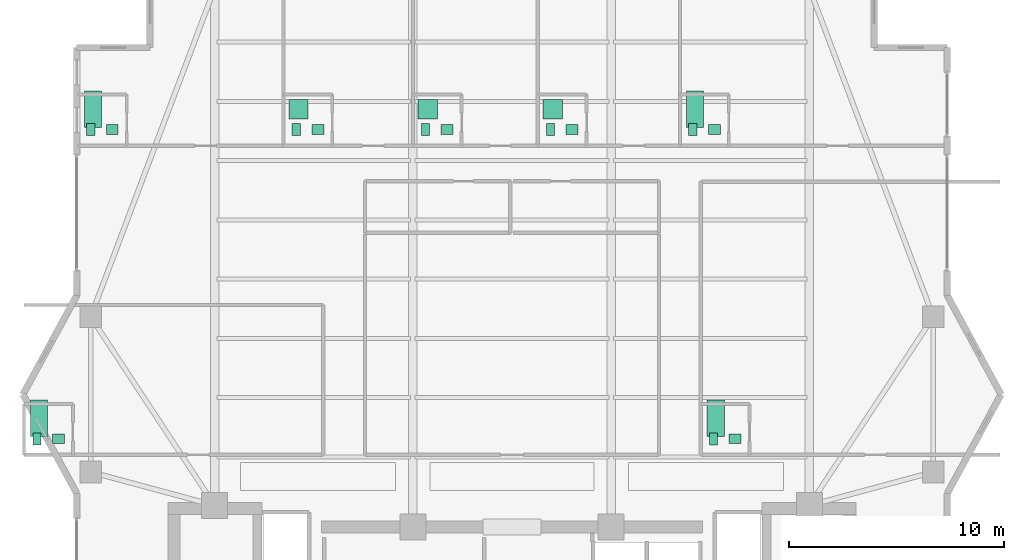
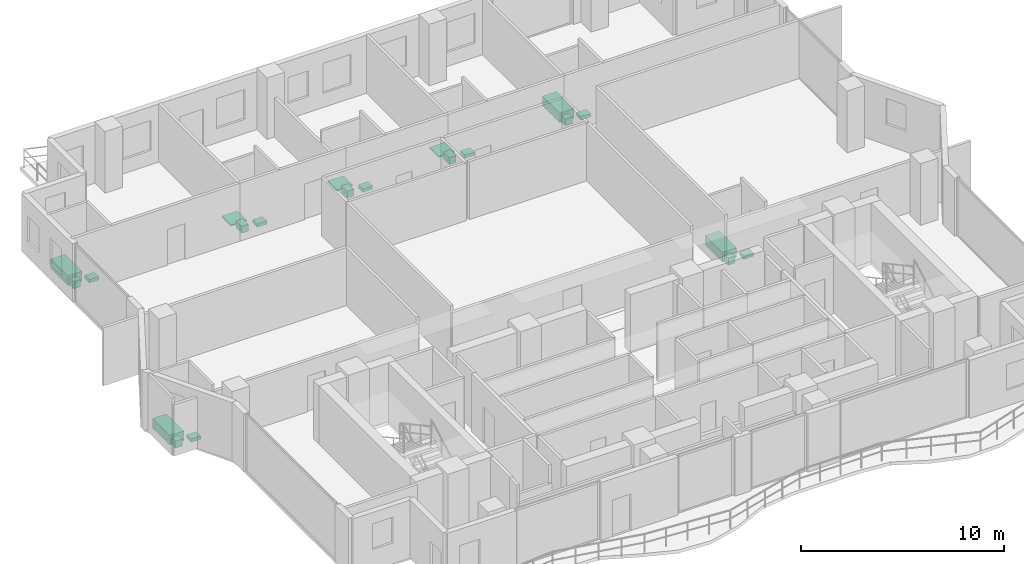
# One storey, part 26 of 26: 21 sanitary terminals.
"""IFC4 building model written with IfcOpenShell, lengths in metres."""

from ifc_helpers import new_model, si_unit, direction, frame, origin, origin_2d, place, context, subcontext, project, spatial, rectangle, extrude, material, type_object, element, save


model = new_model("IFC4")

# Units and contexts
model_context = context("Model", 3, precision=1e-05, world=origin(), true_north=direction((0.0, 1.0)))
body_context = subcontext(model_context, "Body", "Model", "MODEL_VIEW")
ifc_project = project(units=[si_unit("LENGTHUNIT", "METRE"), si_unit("AREAUNIT", "SQUARE_METRE"), si_unit("VOLUMEUNIT", "CUBIC_METRE"), si_unit("PLANEANGLEUNIT", "RADIAN"), si_unit("MASSUNIT", "GRAM", prefix="KILO")], contexts=[model_context])

# Site, building, storey
site_placement = place(None, origin())
site = spatial("IfcSite", under=ifc_project, at=site_placement, CompositionType="ELEMENT")
building_placement = place(site_placement, origin())
building = spatial("IfcBuilding", under=site, at=building_placement, Name="Zuhayl Quay Hotel", CompositionType="ELEMENT")
storey_placement = place(building_placement, frame((0.0, 0.0, 247.050048828125)))
storey = spatial("IfcBuildingStorey", under=building, at=storey_placement, Name="L62", CompositionType="ELEMENT", Elevation=247.050048828125)

# Sanitary terminals
ifc_material = material(Name="Vitreous Porcelain Sanitaryware")
sanitary_terminal_type_1 = type_object("IfcSanitaryTerminalType", Name="SAN_BASIN", PredefinedType="WASHHANDBASIN", material=ifc_material)
for number, where, z_axis, x_axis, name in (
    (1, (-18.550048828125, 31.7900390625, 0.0), (0.0, 0.0, 1.0), (1.0, 0.0, 0.0), "L62 Sanitary Fixture WASHHANDBASIN"),
    (2, (-9.010009765625, 31.7900390625, 0.0), (0.0, 0.0, 1.0), (1.0, 0.0, 0.0), "L62 Sanitary Fixture WASHHANDBASIN"),
    (3, (-3.010009765625, 31.7900390625, 0.0), (0.0, 0.0, 1.0), (1.0, 0.0, 0.0), "L62 Sanitary Fixture WASHHANDBASIN"),
    (4, (2.7900390625, 31.7900390625, 0.0), (0.0, 0.0, 1.0), (1.0, 0.0, 0.0), "L62 Sanitary Fixture WASHHANDBASIN"),
    (5, (9.389892578125, 31.7900390625, 0.0), (0.0, 0.0, 1.0), (1.0, 0.0, 0.0), "L62 Sanitary Fixture WASHHANDBASIN"),
    (6, (-21.050048828125, 17.43994140625, 0.0), (0.0, 0.0, 1.0), (1.0, 0.0, 0.0), "L62 Sanitary Fixture WASHHANDBASIN"),
    (7, (10.35009765625, 17.43994140625, 0.0), (0.0, 0.0, 1.0), (1.0, 0.0, 0.0), "L62 Sanitary Fixture WASHHANDBASIN"),
):
    element("IfcSanitaryTerminal", number, at=place(storey_placement, frame(where, z_axis=z_axis, x_axis=x_axis)), inside=storey, type_object=sanitary_terminal_type_1, Name=name, PredefinedType="WASHHANDBASIN", context=body_context, shape_type="SweptSolid", body=[
        extrude(rectangle(XDim=0.550048828125, YDim=0.449951171875, at=origin_2d()), origin(), (0.0, 0.0, 1.0), 0.199951171875),
    ])
sanitary_terminal_type_2 = type_object("IfcSanitaryTerminalType", Name="SAN_BATH", PredefinedType="BATH", material=ifc_material)
for number, where, z_axis, x_axis, name in (
    (8, (-19.449951171875, 32.739990234375, 0.0), (0.0, 0.0, 1.0), (1.0, 0.0, 0.0), "L62 Sanitary Fixture BATH"),
    (9, (8.489990234375, 32.739990234375, 0.0), (0.0, 0.0, 1.0), (1.0, 0.0, 0.0), "L62 Sanitary Fixture BATH"),
    (10, (-21.949951171875, 18.389892578125, 0.0), (0.0, 0.0, 1.0), (1.0, 0.0, 0.0), "L62 Sanitary Fixture BATH"),
    (11, (9.449951171875, 18.389892578125, 0.0), (0.0, 0.0, 1.0), (1.0, 0.0, 0.0), "L62 Sanitary Fixture BATH"),
):
    element("IfcSanitaryTerminal", number, at=place(storey_placement, frame(where, z_axis=z_axis, x_axis=x_axis)), inside=storey, type_object=sanitary_terminal_type_2, Name=name, PredefinedType="BATH", context=body_context, shape_type="SweptSolid", body=[
        extrude(rectangle(XDim=0.800048828125, YDim=1.699951171875, at=origin_2d()), origin(), (0.0, 0.0, 1.0), 0.580078125),
    ])
sanitary_terminal_type_3 = type_object("IfcSanitaryTerminalType", Name="SAN_SHOWER", PredefinedType="SHOWER", material=ifc_material)
for number, where, z_axis, x_axis, name in (
    (12, (-9.909912109375, 32.739990234375, 0.0), (0.0, 0.0, 1.0), (1.0, 0.0, 0.0), "L62 Sanitary Fixture SHOWER"),
    (13, (-3.909912109375, 32.739990234375, 0.0), (0.0, 0.0, 1.0), (1.0, 0.0, 0.0), "L62 Sanitary Fixture SHOWER"),
    (14, (1.889892578125, 32.739990234375, 0.0), (0.0, 0.0, 1.0), (1.0, 0.0, 0.0), "L62 Sanitary Fixture SHOWER"),
):
    element("IfcSanitaryTerminal", number, at=place(storey_placement, frame(where, z_axis=z_axis, x_axis=x_axis)), inside=storey, type_object=sanitary_terminal_type_3, Name=name, PredefinedType="SHOWER", context=body_context, shape_type="SweptSolid", body=[
        extrude(rectangle(XDim=0.89990234375, YDim=0.89990234375, at=origin_2d()), origin(), (0.0, 0.0, 1.0), 0.080078125),
    ])
sanitary_terminal_type_4 = type_object("IfcSanitaryTerminalType", Name="SAN_WC", PredefinedType="TOILETPAN", material=ifc_material)
for number, where, z_axis, x_axis, name in (
    (15, (-19.550048828125, 31.7900390625, 0.0), (0.0, 0.0, 1.0), (1.0, 0.0, 0.0), "L62 Sanitary Fixture TOILETPAN"),
    (16, (-10.010009765625, 31.7900390625, 0.0), (0.0, 0.0, 1.0), (1.0, 0.0, 0.0), "L62 Sanitary Fixture TOILETPAN"),
    (17, (-4.010009765625, 31.7900390625, 0.0), (0.0, 0.0, 1.0), (1.0, 0.0, 0.0), "L62 Sanitary Fixture TOILETPAN"),
    (18, (1.7900390625, 31.7900390625, 0.0), (0.0, 0.0, 1.0), (1.0, 0.0, 0.0), "L62 Sanitary Fixture TOILETPAN"),
    (19, (8.389892578125, 31.7900390625, 0.0), (0.0, 0.0, 1.0), (1.0, 0.0, 0.0), "L62 Sanitary Fixture TOILETPAN"),
    (20, (-22.050048828125, 17.43994140625, 0.0), (0.0, 0.0, 1.0), (1.0, 0.0, 0.0), "L62 Sanitary Fixture TOILETPAN"),
    (21, (9.35009765625, 17.43994140625, 0.0), (0.0, 0.0, 1.0), (1.0, 0.0, 0.0), "L62 Sanitary Fixture TOILETPAN"),
):
    element("IfcSanitaryTerminal", number, at=place(storey_placement, frame(where, z_axis=z_axis, x_axis=x_axis)), inside=storey, type_object=sanitary_terminal_type_4, Name=name, PredefinedType="TOILETPAN", context=body_context, shape_type="SweptSolid", body=[
        extrude(rectangle(XDim=0.3798828125, YDim=0.56005859375, at=origin_2d()), origin(), (0.0, 0.0, 1.0), 0.419921875),
    ])

save(model, "model.ifc")
